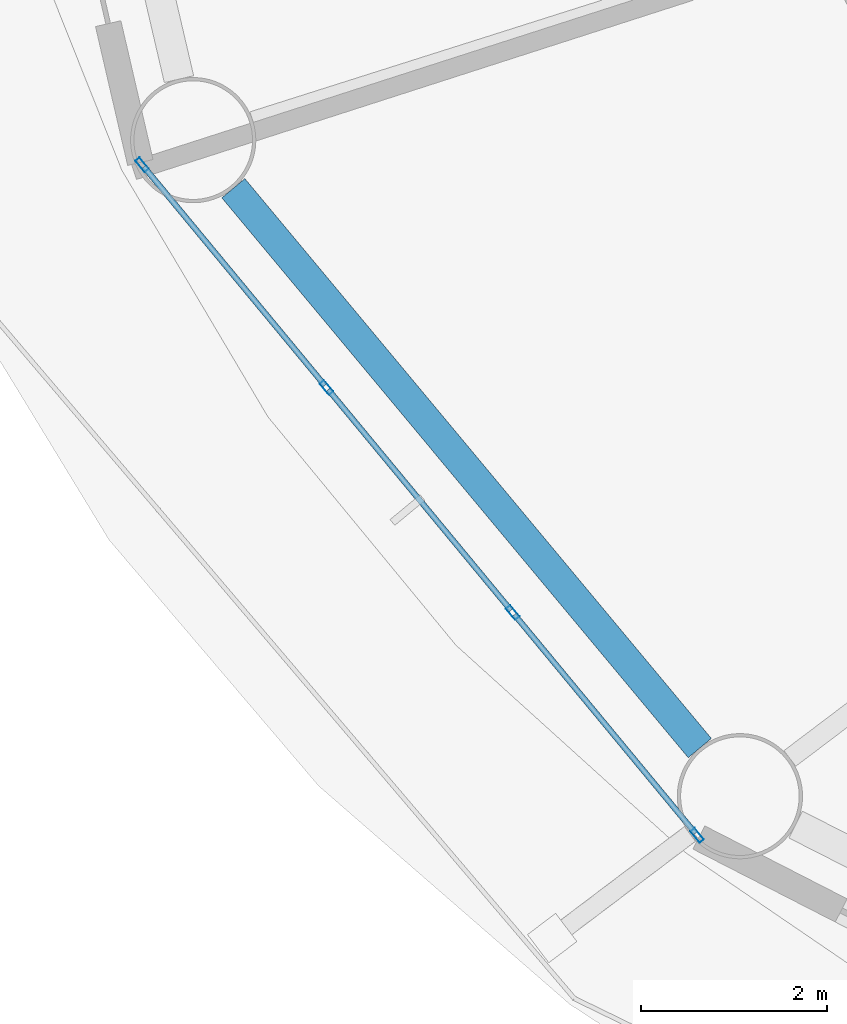
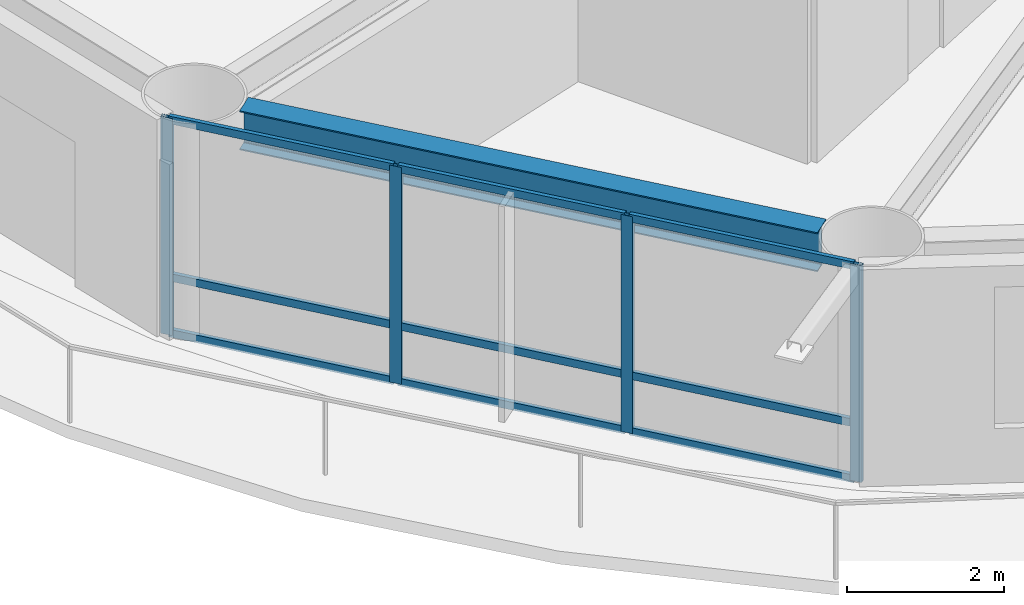
# One storey, part 2 of 24: 13 members, 1 beam, 1 element without a shape of its own.
"""IFC4 building model written with IfcOpenShell, lengths in metres."""

from ifc_helpers import new_model, si_unit, direction, frame, origin, origin_2d, place, context, subcontext, project, spatial, hollow_rectangle, i_section, extrude, material, layer, layer_set, material_profile, profile_set, type_object, element, aggregate, save


model = new_model("IFC4")

# Units and contexts
model_context = context("Model", 3, precision=1e-05, world=origin(), true_north=direction((0.0, 1.0)))
body_context = subcontext(model_context, "Body", "Model", "MODEL_VIEW")
ifc_project = project(units=[si_unit("LENGTHUNIT", "METRE"), si_unit("AREAUNIT", "SQUARE_METRE"), si_unit("VOLUMEUNIT", "CUBIC_METRE"), si_unit("PLANEANGLEUNIT", "RADIAN"), si_unit("MASSUNIT", "GRAM", prefix="KILO")], contexts=[model_context])

# Site, building, storey
site_placement = place(None, origin())
site = spatial("IfcSite", under=ifc_project, at=site_placement, CompositionType="ELEMENT")
building_placement = place(site_placement, origin())
building = spatial("IfcBuilding", under=site, at=building_placement, Name="Sarneth Arch Tower", CompositionType="ELEMENT")
storey_placement = place(building_placement, frame((0.0, 0.0, 91.199951171875)))
storey = spatial("IfcBuildingStorey", under=building, at=storey_placement, Name="L22", CompositionType="ELEMENT", Elevation=91.199951171875)

# Beam
ifc_material_1 = material(Name="Steel S355", Category="steel")
ifc_material_profile_1 = material_profile(ifc_material_1, i_section(OverallWidth=0.323974609375, OverallDepth=0.611083984375, WebThickness=0.0126953125, FlangeThickness=0.01904296875, FilletRadius=0.01904296875, at=origin_2d()), Name="W610x155")
ifc_profile_set_1 = profile_set([ifc_material_profile_1], Name="Steel S355")
beam_type = type_object("IfcBeamType", Name="BM-SPAN-610B", PredefinedType="SPANDREL", material=ifc_profile_set_1)
beam_placement = place(storey_placement, frame((22.140869140625, 33.138916015625, 3.074462890625), z_axis=(0.640169116175, -0.768234015581, 0.0), x_axis=(0.768234015581, 0.640169116175, 0.0)))
element("IfcBeam", 1, at=beam_placement, inside=storey, type_object=beam_type, Name="L22 Perimeter spandrel beam 10", PredefinedType="SPANDREL", context=body_context, shape_type="SweptSolid", body=[
    extrude(i_section(OverallWidth=0.323974609375, OverallDepth=0.611083984375, WebThickness=0.0126953125, FlangeThickness=0.01904296875, FilletRadius=0.01904296875, at=origin_2d()), origin(), (0.0, 0.0, 1.0), 7.856201171875),
])

# Curtain wall, members
ifc_material_2 = material(Name="Anodised aluminium Type AA25 and solar-control low-e laminated IGU", Category="aluminium")
ifc_layer = layer(ifc_material_2, 0.159912109375)
ifc_layer_set = layer_set([ifc_layer], Name="Anodised aluminium Type AA25 and solar-control low-e laminated IGU")
curtain_wall_type = type_object("IfcCurtainWallType", Name="CW-HOTEL-MID", PredefinedType="NOTDEFINED", material=ifc_layer_set)
curtain_wall_placement = place(storey_placement, origin())
curtain_wall = element("IfcCurtainWall", 2, at=curtain_wall_placement, inside=storey, type_object=curtain_wall_type, Name="L22 Unitised curtain wall facet 10", PredefinedType="NOTDEFINED")
ifc_material_3 = material(Name="Anodised Aluminium 6063-T6", Category="aluminium")
ifc_material_profile_2 = material_profile(ifc_material_3, hollow_rectangle(XDim=0.06005859375, YDim=0.159912109375, WallThickness=0.00390625, at=origin_2d()), Name="AL-MULL-160x60x4")
ifc_profile_set_2 = profile_set([ifc_material_profile_2], Name="Anodised Aluminium 6063-T6")
member_type_1 = type_object("IfcMemberType", Name="CW-MULLION", PredefinedType="MULLION", material=ifc_profile_set_2)
member_1_placement = place(storey_placement, frame((21.15771484375, 33.393310546875, 0.0), z_axis=(0.0, 0.0, 1.0), x_axis=(0.770437787363, 0.637515188684, 0.0)))
member_1 = element("IfcMember", 3, at=member_1_placement, type_object=member_type_1, Name="CW-SYS-4 mullion 1", PredefinedType="MULLION", context=body_context, shape_type="SweptSolid", body=[
    extrude(hollow_rectangle(XDim=0.06005859375, YDim=0.159912109375, WallThickness=0.00390625, at=origin_2d()), origin(), (0.0, 0.0, 1.0), 3.380126953125),
])
member_2_placement = place(storey_placement, frame((23.145751953125, 30.99072265625, 0.0), z_axis=(0.0, 0.0, 1.0), x_axis=(0.770437787363, 0.637515188684, 0.0)))
member_2 = element("IfcMember", 4, at=member_2_placement, type_object=member_type_1, Name="CW-SYS-4 mullion 2", PredefinedType="MULLION", context=body_context, shape_type="SweptSolid", body=[
    extrude(hollow_rectangle(XDim=0.06005859375, YDim=0.159912109375, WallThickness=0.00390625, at=origin_2d()), origin(), (0.0, 0.0, 1.0), 3.380126953125),
])
member_3_placement = place(storey_placement, frame((25.15283203125, 28.565185546875, 0.0), z_axis=(0.0, 0.0, 1.0), x_axis=(0.770437787363, 0.637515188684, 0.0)))
member_3 = element("IfcMember", 5, at=member_3_placement, type_object=member_type_1, Name="CW-SYS-4 mullion 3", PredefinedType="MULLION", context=body_context, shape_type="SweptSolid", body=[
    extrude(hollow_rectangle(XDim=0.06005859375, YDim=0.159912109375, WallThickness=0.00390625, at=origin_2d()), origin(), (0.0, 0.0, 1.0), 3.380126953125),
])
member_4_placement = place(storey_placement, frame((27.140869140625, 26.16259765625, 0.0), z_axis=(0.0, 0.0, 1.0), x_axis=(0.770437787363, 0.637515188684, 0.0)))
member_4 = element("IfcMember", 6, at=member_4_placement, type_object=member_type_1, Name="CW-SYS-4 mullion 4", PredefinedType="MULLION", context=body_context, shape_type="SweptSolid", body=[
    extrude(hollow_rectangle(XDim=0.06005859375, YDim=0.159912109375, WallThickness=0.00390625, at=origin_2d()), origin(), (0.0, 0.0, 1.0), 3.380126953125),
])
ifc_material_4 = material(Name="Anodised Aluminium 6063-T6", Category="aluminium")
ifc_material_profile_3 = material_profile(ifc_material_4, hollow_rectangle(XDim=0.06005859375, YDim=0.1201171875, WallThickness=0.00390625, at=origin_2d()), Name="AL-TRAN-120x60x4")
ifc_profile_set_3 = profile_set([ifc_material_profile_3], Name="Anodised Aluminium 6063-T6")
member_type_2 = type_object("IfcMemberType", Name="CW-TRANSOM", PredefinedType="USERDEFINED", material=ifc_profile_set_3)
member_5_placement = place(storey_placement, frame((21.1767578125, 33.3701171875, 0.030029296875), z_axis=(0.637566080343, -0.770395673142, 0.0), x_axis=(0.770395673142, 0.637566080343, 0.0)))
member_5 = element("IfcMember", 7, at=member_5_placement, type_object=member_type_2, Name="CW-SYS-4 transom 1.1", ObjectType="TRANSOM", PredefinedType="USERDEFINED", context=body_context, shape_type="SweptSolid", body=[
    extrude(hollow_rectangle(XDim=0.06005859375, YDim=0.1201171875, WallThickness=0.00390625, at=origin_2d()), origin(), (0.0, 0.0, 1.0), 3.058349609375),
])
member_6_placement = place(storey_placement, frame((21.1767578125, 33.3701171875, 0.900146484375), z_axis=(0.637566080343, -0.770395673142, 0.0), x_axis=(0.770395673142, 0.637566080343, 0.0)))
member_6 = element("IfcMember", 8, at=member_6_placement, type_object=member_type_2, Name="CW-SYS-4 transom 1.2", ObjectType="TRANSOM", PredefinedType="USERDEFINED", context=body_context, shape_type="SweptSolid", body=[
    extrude(hollow_rectangle(XDim=0.06005859375, YDim=0.1201171875, WallThickness=0.00390625, at=origin_2d()), origin(), (0.0, 0.0, 1.0), 3.058349609375),
])
member_7_placement = place(storey_placement, frame((21.1767578125, 33.3701171875, 3.35009765625), z_axis=(0.637566080343, -0.770395673142, 0.0), x_axis=(0.770395673142, 0.637566080343, 0.0)))
member_7 = element("IfcMember", 9, at=member_7_placement, type_object=member_type_2, Name="CW-SYS-4 transom 1.3", ObjectType="TRANSOM", PredefinedType="USERDEFINED", context=body_context, shape_type="SweptSolid", body=[
    extrude(hollow_rectangle(XDim=0.06005859375, YDim=0.1201171875, WallThickness=0.00390625, at=origin_2d()), origin(), (0.0, 0.0, 1.0), 3.058349609375),
])
member_8_placement = place(storey_placement, frame((23.164794921875, 30.9677734375, 0.030029296875), z_axis=(0.637536975021, -0.770419759275, 0.0), x_axis=(0.770419759275, 0.637536975021, 0.0)))
member_8 = element("IfcMember", 10, at=member_8_placement, type_object=member_type_2, Name="CW-SYS-4 transom 2.1", ObjectType="TRANSOM", PredefinedType="USERDEFINED", context=body_context, shape_type="SweptSolid", body=[
    extrude(hollow_rectangle(XDim=0.06005859375, YDim=0.1201171875, WallThickness=0.00390625, at=origin_2d()), origin(), (0.0, 0.0, 1.0), 3.08837890625),
])
member_9_placement = place(storey_placement, frame((23.164794921875, 30.9677734375, 0.900146484375), z_axis=(0.637536975021, -0.770419759275, 0.0), x_axis=(0.770419759275, 0.637536975021, 0.0)))
member_9 = element("IfcMember", 11, at=member_9_placement, type_object=member_type_2, Name="CW-SYS-4 transom 2.2", ObjectType="TRANSOM", PredefinedType="USERDEFINED", context=body_context, shape_type="SweptSolid", body=[
    extrude(hollow_rectangle(XDim=0.06005859375, YDim=0.1201171875, WallThickness=0.00390625, at=origin_2d()), origin(), (0.0, 0.0, 1.0), 3.08837890625),
])
member_10_placement = place(storey_placement, frame((23.164794921875, 30.9677734375, 3.35009765625), z_axis=(0.637536975021, -0.770419759275, 0.0), x_axis=(0.770419759275, 0.637536975021, 0.0)))
member_10 = element("IfcMember", 12, at=member_10_placement, type_object=member_type_2, Name="CW-SYS-4 transom 2.3", ObjectType="TRANSOM", PredefinedType="USERDEFINED", context=body_context, shape_type="SweptSolid", body=[
    extrude(hollow_rectangle(XDim=0.06005859375, YDim=0.1201171875, WallThickness=0.00390625, at=origin_2d()), origin(), (0.0, 0.0, 1.0), 3.08837890625),
])
member_11_placement = place(storey_placement, frame((25.171875, 28.5419921875, 0.030029296875), z_axis=(0.637566080343, -0.770395673142, 0.0), x_axis=(0.770395673142, 0.637566080343, 0.0)))
member_11 = element("IfcMember", 13, at=member_11_placement, type_object=member_type_2, Name="CW-SYS-4 transom 3.1", ObjectType="TRANSOM", PredefinedType="USERDEFINED", context=body_context, shape_type="SweptSolid", body=[
    extrude(hollow_rectangle(XDim=0.06005859375, YDim=0.1201171875, WallThickness=0.00390625, at=origin_2d()), origin(), (0.0, 0.0, 1.0), 3.058349609375),
])
member_12_placement = place(storey_placement, frame((25.171875, 28.5419921875, 0.900146484375), z_axis=(0.637566080343, -0.770395673142, 0.0), x_axis=(0.770395673142, 0.637566080343, 0.0)))
member_12 = element("IfcMember", 14, at=member_12_placement, type_object=member_type_2, Name="CW-SYS-4 transom 3.2", ObjectType="TRANSOM", PredefinedType="USERDEFINED", context=body_context, shape_type="SweptSolid", body=[
    extrude(hollow_rectangle(XDim=0.06005859375, YDim=0.1201171875, WallThickness=0.00390625, at=origin_2d()), origin(), (0.0, 0.0, 1.0), 3.058349609375),
])
member_13_placement = place(storey_placement, frame((25.171875, 28.5419921875, 3.35009765625), z_axis=(0.637566080343, -0.770395673142, 0.0), x_axis=(0.770395673142, 0.637566080343, 0.0)))
member_13 = element("IfcMember", 15, at=member_13_placement, type_object=member_type_2, Name="CW-SYS-4 transom 3.3", ObjectType="TRANSOM", PredefinedType="USERDEFINED", context=body_context, shape_type="SweptSolid", body=[
    extrude(hollow_rectangle(XDim=0.06005859375, YDim=0.1201171875, WallThickness=0.00390625, at=origin_2d()), origin(), (0.0, 0.0, 1.0), 3.058349609375),
])
aggregate(curtain_wall, [member_1, member_2, member_3, member_4, member_5, member_6, member_7, member_8, member_9, member_10, member_11, member_12, member_13])

save(model, "model.ifc")
